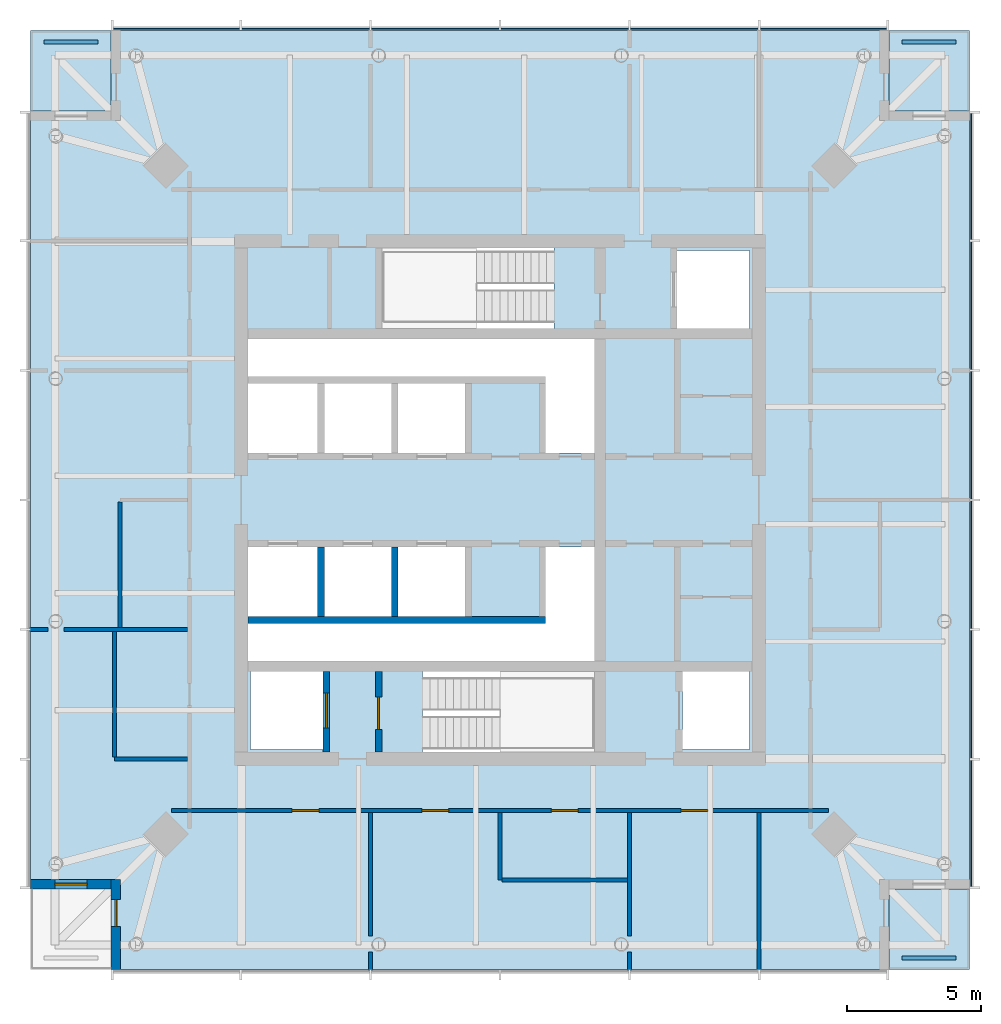
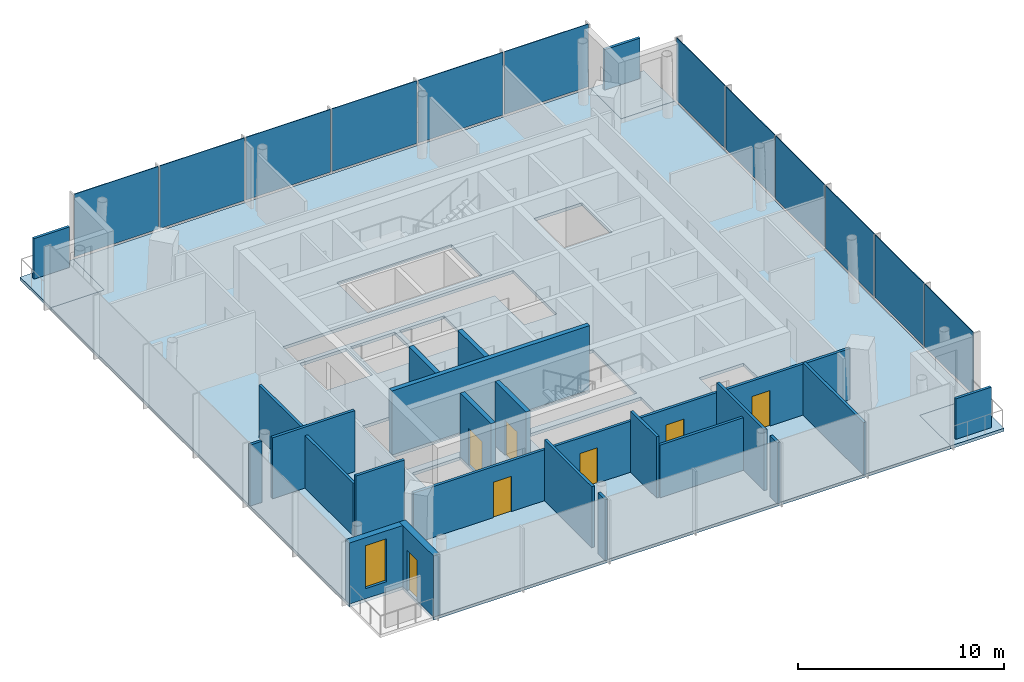
# One storey, part 3 of 7: 20 walls, 15 plates, 7 doors, 4 slabs, 1 window, 8 openings, 2 elements without a shape of their own.
"""IFC4 building model written with IfcOpenShell, lengths in metres."""

from ifc_helpers import new_model, si_unit, direction, frame, frame_2d, origin, origin_2d, place, context, subcontext, project, spatial, polyline, rectangle, outline, extrude, material, layer, layer_set, type_object, element, fill, aggregate, save


model = new_model("IFC4")

# Units and contexts
model_context = context("Model", 3, precision=1e-05, world=origin(), true_north=direction((0.0, 1.0)))
body_context = subcontext(model_context, "Body", "Model", "MODEL_VIEW")
ifc_project = project(units=[si_unit("LENGTHUNIT", "METRE"), si_unit("AREAUNIT", "SQUARE_METRE"), si_unit("VOLUMEUNIT", "CUBIC_METRE"), si_unit("PLANEANGLEUNIT", "RADIAN"), si_unit("MASSUNIT", "GRAM", prefix="KILO")], contexts=[model_context])

# Site, building, storey
site_placement = place(None, origin())
site = spatial("IfcSite", under=ifc_project, at=site_placement, CompositionType="ELEMENT")
building_placement = place(site_placement, origin())
building = spatial("IfcBuilding", under=site, at=building_placement, Name="Ostroluk Exchange", CompositionType="ELEMENT")
storey_placement = place(building_placement, frame((0.0, 0.0, 252.800048828125)))
storey = spatial("IfcBuildingStorey", under=building, at=storey_placement, Name="L65", CompositionType="ELEMENT", Elevation=252.800048828125)

# Slabs
ifc_material_1 = material(Name="Concrete C35/45", Category="concrete")
ifc_layer_1 = layer(ifc_material_1, 0.179931640625)
ifc_layer_set_1 = layer_set([ifc_layer_1], Name="Balcony slab 180")
slab_type_1 = type_object("IfcSlabType", Name="Balcony slab 180", PredefinedType="USERDEFINED", material=ifc_layer_set_1)
slab_1_placement = place(storey_placement, frame((0.0, 0.0, -0.179931640625)))
element("IfcSlab", 1, at=slab_1_placement, inside=storey, type_object=slab_type_1, Name="Office tower SE corner balcony L65", ObjectType="BALCONY", PredefinedType="USERDEFINED", context=body_context, shape_type="SweptSolid", body=[
    extrude(outline(polyline([(59.5, 28.5), (62.5, 28.5), (62.5, 31.5), (59.5, 31.5), (59.5, 28.5)])), origin(), (0.0, 0.0, 1.0), 0.179931640625),
])
slab_2_placement = place(storey_placement, frame((0.0, 0.0, -0.179931640625)))
element("IfcSlab", 2, at=slab_2_placement, inside=storey, type_object=slab_type_1, Name="Office tower NE corner balcony L65", ObjectType="BALCONY", PredefinedType="USERDEFINED", context=body_context, shape_type="SweptSolid", body=[
    extrude(outline(polyline([(59.5, 60.5), (62.5, 60.5), (62.5, 63.5), (59.5, 63.5), (59.5, 60.5)])), origin(), (0.0, 0.0, 1.0), 0.179931640625),
])
slab_3_placement = place(storey_placement, frame((0.0, 0.0, -0.179931640625)))
element("IfcSlab", 3, at=slab_3_placement, inside=storey, type_object=slab_type_1, Name="Office tower NW corner balcony L65", ObjectType="BALCONY", PredefinedType="USERDEFINED", context=body_context, shape_type="SweptSolid", body=[
    extrude(outline(polyline([(27.5, 60.5), (30.5, 60.5), (30.5, 63.5), (27.5, 63.5), (27.5, 60.5)])), origin(), (0.0, 0.0, 1.0), 0.179931640625),
])

# Plates
ifc_material_2 = material(Name="Steel S355 trellis with planting", Category="steel")
ifc_layer_2 = layer(ifc_material_2, 0.14990234375)
ifc_layer_set_2 = layer_set([ifc_layer_2], Name="Planted screen 150")
plate_type_1 = type_object("IfcPlateType", Name="Planted screen 150", PredefinedType="USERDEFINED", material=ifc_layer_set_2)
for number, where, z_axis, x_axis, name in (
    (4, (61.0, 28.925048828125, 0.0), (0.0, 0.0, 1.0), (1.0, 0.0, 0.0), "Office tower SE planted screen L65"),
    (5, (61.0, 63.074951171875, 0.0), (0.0, 0.0, 1.0), (1.0, 0.0, 0.0), "Office tower NE planted screen L65"),
    (6, (29.0, 63.074951171875, 0.0), (0.0, 0.0, 1.0), (1.0, 0.0, 0.0), "Office tower NW planted screen L65"),
):
    element("IfcPlate", number, at=place(storey_placement, frame(where, z_axis=z_axis, x_axis=x_axis)), inside=storey, type_object=plate_type_1, Name=name, ObjectType="PLANTED SCREEN", PredefinedType="USERDEFINED", context=body_context, shape_type="SweptSolid", body=[
        extrude(rectangle(XDim=2.0, YDim=0.14990234375, at=origin_2d()), origin(), (0.0, 0.0, 1.0), 2.39990234375),
    ])

# Slab
ifc_material_3 = material(Name="Concrete C35/45", Category="concrete")
ifc_layer_3 = layer(ifc_material_3, 0.179931640625)
ifc_layer_set_3 = layer_set([ifc_layer_3], Name="Tower floor slab 180 composite")
slab_type_2 = type_object("IfcSlabType", Name="Tower floor slab 180 composite", PredefinedType="FLOOR", material=ifc_layer_set_3)
slab_4_placement = place(storey_placement, frame((0.0, 0.0, -0.179931640625)))
element("IfcSlab", 7, at=slab_4_placement, inside=storey, type_object=slab_type_2, Name="Office tower floor slab L65", PredefinedType="FLOOR", context=body_context, shape_type="SweptSolid", body=[
    extrude(outline(polyline([(30.5, 28.5), (59.5, 28.5), (59.5, 31.5), (62.5, 31.5), (62.5, 60.5), (59.5, 60.5), (59.5, 63.5), (30.5, 63.5), (30.5, 60.5), (27.5, 60.5), (27.5, 31.5), (30.5, 31.5), (30.5, 28.5)]), holes=[polyline([(35.699951171875, 36.699951171875), (38.39990234375, 36.699951171875), (38.39990234375, 39.60009765625), (35.699951171875, 39.60009765625), (35.699951171875, 36.699951171875)]), polyline([(42.110107421875, 36.60009765625), (48.530029296875, 36.60009765625), (48.530029296875, 39.60009765625), (42.110107421875, 39.60009765625), (42.110107421875, 36.60009765625)]), polyline([(51.800048828125, 36.699951171875), (54.300048828125, 36.699951171875), (54.300048828125, 39.60009765625), (51.800048828125, 39.60009765625), (51.800048828125, 36.699951171875)]), polyline([(40.60009765625, 52.39990234375), (47.02001953125, 52.39990234375), (47.02001953125, 55.39990234375), (40.60009765625, 55.39990234375), (40.60009765625, 52.39990234375)]), polyline([(51.60009765625, 52.39990234375), (54.300048828125, 52.39990234375), (54.300048828125, 55.300048828125), (51.60009765625, 55.300048828125), (51.60009765625, 52.39990234375)]), polyline([(35.60009765625, 47.75), (38.199951171875, 47.75), (38.199951171875, 50.35009765625), (35.60009765625, 50.35009765625), (35.60009765625, 47.75)]), polyline([(38.449951171875, 47.75), (40.949951171875, 47.75), (40.949951171875, 50.35009765625), (38.449951171875, 50.35009765625), (38.449951171875, 47.75)]), polyline([(41.199951171875, 47.75), (43.699951171875, 47.75), (43.699951171875, 50.35009765625), (41.199951171875, 50.35009765625), (41.199951171875, 47.75)]), polyline([(35.60009765625, 41.64990234375), (38.199951171875, 41.64990234375), (38.199951171875, 44.25), (35.60009765625, 44.25), (35.60009765625, 41.64990234375)]), polyline([(38.449951171875, 41.64990234375), (40.949951171875, 41.64990234375), (40.949951171875, 44.25), (38.449951171875, 44.25), (38.449951171875, 41.64990234375)]), polyline([(41.199951171875, 41.64990234375), (43.699951171875, 41.64990234375), (43.699951171875, 44.25), (41.199951171875, 44.25), (41.199951171875, 41.64990234375)]), polyline([(48.530029296875, 52.0), (48.530029296875, 47.75), (46.699951171875, 47.75), (46.699951171875, 50.60009765625), (35.60009765625, 50.60009765625), (35.60009765625, 52.0), (48.530029296875, 52.0)]), polyline([(35.60009765625, 40.0), (35.60009765625, 41.39990234375), (46.699951171875, 41.39990234375), (46.699951171875, 44.25), (48.530029296875, 44.25), (48.530029296875, 40.0), (35.60009765625, 40.0)])]), origin(), (0.0, 0.0, 1.0), 0.179931640625),
])

# Curtain wall, plates
ifc_material_4 = material(Name="Laminated clear glass", Category="glass")
curtain_wall_type = type_object("IfcCurtainWallType", Name="Office tower facade", PredefinedType="USERDEFINED", material=ifc_material_4)
curtain_wall_1_placement = place(storey_placement, origin())
curtain_wall_1 = element("IfcCurtainWall", 8, at=curtain_wall_1_placement, inside=storey, type_object=curtain_wall_type, Name="Office tower east facade L65", ObjectType="UNITISED CURTAIN WALL", PredefinedType="USERDEFINED")
ifc_material_5 = material(Name="Laminated clear glass", Category="glass")
ifc_layer_4 = layer(ifc_material_5, 0.0439453125)
ifc_layer_set_4 = layer_set([ifc_layer_4], Name="Triple laminated clear glazing 44")
plate_type_2 = type_object("IfcPlateType", Name="Triple laminated clear glazing 44", PredefinedType="CURTAIN_PANEL", material=ifc_layer_set_4)
plate_1_placement = place(storey_placement, frame((62.574951171875, 33.936767578125, 0.080078125), z_axis=(0.0, 0.0, 1.0), x_axis=(0.0, 1.0, 0.0)))
plate_1 = element("IfcPlate", 9, at=plate_1_placement, type_object=plate_type_2, Name="CW-O1 panel 1.1", PredefinedType="CURTAIN_PANEL", context=body_context, shape_type="SweptSolid", body=[
    extrude(rectangle(XDim=4.71337890625, YDim=0.0439453125, at=origin_2d()), origin(), (0.0, 0.0, 1.0), 3.719970703125),
])
plate_2_placement = place(storey_placement, frame((62.574951171875, 38.75, 0.080078125), z_axis=(0.0, 0.0, 1.0), x_axis=(0.0, 1.0, 0.0)))
plate_2 = element("IfcPlate", 10, at=plate_2_placement, type_object=plate_type_2, Name="CW-O1 panel 2.1", PredefinedType="CURTAIN_PANEL", context=body_context, shape_type="SweptSolid", body=[
    extrude(rectangle(XDim=4.75341796875, YDim=0.0439453125, at=origin_2d()), origin(), (0.0, 0.0, 1.0), 3.719970703125),
])
plate_3_placement = place(storey_placement, frame((62.574951171875, 43.583251953125, 0.080078125), z_axis=(0.0, 0.0, 1.0), x_axis=(0.0, 1.0, 0.0)))
plate_3 = element("IfcPlate", 11, at=plate_3_placement, type_object=plate_type_2, Name="CW-O1 panel 3.1", PredefinedType="CURTAIN_PANEL", context=body_context, shape_type="SweptSolid", body=[
    extrude(rectangle(XDim=4.75341796875, YDim=0.0439453125, at=origin_2d()), origin(), (0.0, 0.0, 1.0), 3.719970703125),
])
plate_4_placement = place(storey_placement, frame((62.574951171875, 48.416748046875, 0.080078125), z_axis=(0.0, 0.0, 1.0), x_axis=(0.0, 1.0, 0.0)))
plate_4 = element("IfcPlate", 12, at=plate_4_placement, type_object=plate_type_2, Name="CW-O1 panel 4.1", PredefinedType="CURTAIN_PANEL", context=body_context, shape_type="SweptSolid", body=[
    extrude(rectangle(XDim=4.75341796875, YDim=0.0439453125, at=origin_2d()), origin(), (0.0, 0.0, 1.0), 3.719970703125),
])
plate_5_placement = place(storey_placement, frame((62.574951171875, 53.25, 0.080078125), z_axis=(0.0, 0.0, 1.0), x_axis=(0.0, 1.0, 0.0)))
plate_5 = element("IfcPlate", 13, at=plate_5_placement, type_object=plate_type_2, Name="CW-O1 panel 5.1", PredefinedType="CURTAIN_PANEL", context=body_context, shape_type="SweptSolid", body=[
    extrude(rectangle(XDim=4.75341796875, YDim=0.0439453125, at=origin_2d()), origin(), (0.0, 0.0, 1.0), 3.719970703125),
])
plate_6_placement = place(storey_placement, frame((62.574951171875, 58.063232421875, 0.080078125), z_axis=(0.0, 0.0, 1.0), x_axis=(0.0, 1.0, 0.0)))
plate_6 = element("IfcPlate", 14, at=plate_6_placement, type_object=plate_type_2, Name="CW-O1 panel 6.1", PredefinedType="CURTAIN_PANEL", context=body_context, shape_type="SweptSolid", body=[
    extrude(rectangle(XDim=4.71337890625, YDim=0.0439453125, at=origin_2d()), origin(), (0.0, 0.0, 1.0), 3.719970703125),
])
aggregate(curtain_wall_1, [plate_1, plate_2, plate_3, plate_4, plate_5, plate_6])

curtain_wall_2_placement = place(storey_placement, origin())
curtain_wall_2 = element("IfcCurtainWall", 15, at=curtain_wall_2_placement, inside=storey, type_object=curtain_wall_type, Name="Office tower north facade L65", ObjectType="UNITISED CURTAIN WALL", PredefinedType="USERDEFINED")
plate_7_placement = place(storey_placement, frame((57.063232421875, 63.574951171875, 0.080078125), z_axis=(0.0, 0.0, 1.0), x_axis=(-1.0, 0.0, 0.0)))
plate_7 = element("IfcPlate", 16, at=plate_7_placement, type_object=plate_type_2, Name="CW-O1 panel 1.1", PredefinedType="CURTAIN_PANEL", context=body_context, shape_type="SweptSolid", body=[
    extrude(rectangle(XDim=4.71337890625, YDim=0.0439453125, at=origin_2d()), origin(), (0.0, 0.0, 1.0), 3.719970703125),
])
plate_8_placement = place(storey_placement, frame((52.25, 63.574951171875, 0.080078125), z_axis=(0.0, 0.0, 1.0), x_axis=(-1.0, 0.0, 0.0)))
plate_8 = element("IfcPlate", 17, at=plate_8_placement, type_object=plate_type_2, Name="CW-O1 panel 2.1", PredefinedType="CURTAIN_PANEL", context=body_context, shape_type="SweptSolid", body=[
    extrude(rectangle(XDim=4.75341796875, YDim=0.0439453125, at=origin_2d()), origin(), (0.0, 0.0, 1.0), 3.719970703125),
])
plate_9_placement = place(storey_placement, frame((47.416748046875, 63.574951171875, 0.080078125), z_axis=(0.0, 0.0, 1.0), x_axis=(-1.0, 0.0, 0.0)))
plate_9 = element("IfcPlate", 18, at=plate_9_placement, type_object=plate_type_2, Name="CW-O1 panel 3.1", PredefinedType="CURTAIN_PANEL", context=body_context, shape_type="SweptSolid", body=[
    extrude(rectangle(XDim=4.75341796875, YDim=0.0439453125, at=origin_2d()), origin(), (0.0, 0.0, 1.0), 3.719970703125),
])
plate_10_placement = place(storey_placement, frame((42.583251953125, 63.574951171875, 0.080078125), z_axis=(0.0, 0.0, 1.0), x_axis=(-1.0, 0.0, 0.0)))
plate_10 = element("IfcPlate", 19, at=plate_10_placement, type_object=plate_type_2, Name="CW-O1 panel 4.1", PredefinedType="CURTAIN_PANEL", context=body_context, shape_type="SweptSolid", body=[
    extrude(rectangle(XDim=4.75341796875, YDim=0.0439453125, at=origin_2d()), origin(), (0.0, 0.0, 1.0), 3.719970703125),
])
plate_11_placement = place(storey_placement, frame((37.75, 63.574951171875, 0.080078125), z_axis=(0.0, 0.0, 1.0), x_axis=(-1.0, 0.0, 0.0)))
plate_11 = element("IfcPlate", 20, at=plate_11_placement, type_object=plate_type_2, Name="CW-O1 panel 5.1", PredefinedType="CURTAIN_PANEL", context=body_context, shape_type="SweptSolid", body=[
    extrude(rectangle(XDim=4.75341796875, YDim=0.0439453125, at=origin_2d()), origin(), (0.0, 0.0, 1.0), 3.719970703125),
])
plate_12_placement = place(storey_placement, frame((32.936767578125, 63.574951171875, 0.080078125), z_axis=(0.0, 0.0, 1.0), x_axis=(-1.0, 0.0, 0.0)))
plate_12 = element("IfcPlate", 21, at=plate_12_placement, type_object=plate_type_2, Name="CW-O1 panel 6.1", PredefinedType="CURTAIN_PANEL", context=body_context, shape_type="SweptSolid", body=[
    extrude(rectangle(XDim=4.71337890625, YDim=0.0439453125, at=origin_2d()), origin(), (0.0, 0.0, 1.0), 3.719970703125),
])
aggregate(curtain_wall_2, [plate_7, plate_8, plate_9, plate_10, plate_11, plate_12])

# Wall, opening, door
ifc_material_6 = material(Name="Concrete C40/50", Category="concrete")
ifc_layer_5 = layer(ifc_material_6, 0.25)
ifc_layer_set_5 = layer_set([ifc_layer_5], Name="Core shaft wall 250")
wall_type_1 = type_object("IfcWallType", Name="Core shaft wall 250", PredefinedType="SHEAR", material=ifc_layer_set_5)
wall_1_placement = place(storey_placement, frame((38.52490234375, 36.60009765625, 0.0), z_axis=(0.0, 0.0, 1.0), x_axis=(0.0, 1.0, 0.0)))
wall_1 = element("IfcWall", 22, at=wall_1_placement, inside=storey, type_object=wall_type_1, Name="Firefighting lift shaft wall", PredefinedType="SHEAR", context=body_context, shape_type="SweptSolid", body=[
    extrude(rectangle(XDim=3.0, YDim=0.25, at=frame_2d((1.5, 0.0))), origin(), (0.0, 0.0, 1.0), 3.800048828125),
])
opening_1_placement = place(wall_1_placement, frame((0.89990234375, 0.0, 0.0)))
opening_1 = element("IfcOpeningElement", 23, at=opening_1_placement, cuts=wall_1, Name="Opening LD2", PredefinedType="OPENING", context=body_context, shape_type="SweptSolid", body=[
    extrude(rectangle(XDim=1.300048828125, YDim=2.199951171875, at=frame_2d((0.64990234375, 1.10009765625))), frame((0.0, 0.135009765625, 0.0), z_axis=(0.0, -1.0, 0.0), x_axis=(1.0, 0.0, 0.0)), (0.0, 0.0, 1.0), 0.27001953125),
])
ifc_material_7 = material(Name="Stainless steel", Category="steel")
door_type_1 = type_object("IfcDoorType", Name="Lift landing door E 60 1300 x 2200", OperationType="DOUBLE_DOOR_SLIDING", PredefinedType="DOOR", material=ifc_material_7)
door_1_placement = place(opening_1_placement, origin())
door_1 = element("IfcDoor", 24, at=door_1_placement, inside=storey, type_object=door_type_1, Name="Lift FL1 landing door", OperationType="DOUBLE_DOOR_SLIDING", OverallHeight=2.199951171875, OverallWidth=1.300048828125, PredefinedType="DOOR", context=body_context, shape_type="SweptSolid", body=[
    extrude(rectangle(XDim=1.300048828125, YDim=2.199951171875, at=frame_2d((0.64990234375, 1.10009765625))), frame((0.0, 0.02490234375, 0.0), z_axis=(0.0, -1.0, 0.0), x_axis=(1.0, 0.0, 0.0)), (0.0, 0.0, 1.0), 0.050048828125),
])
fill(opening_1, door_1)

wall_2_placement = place(storey_placement, frame((40.47509765625, 36.60009765625, 0.0), z_axis=(0.0, 0.0, 1.0), x_axis=(0.0, 1.0, 0.0)))
wall_2 = element("IfcWall", 25, at=wall_2_placement, inside=storey, type_object=wall_type_1, Name="Stair shaft wall", PredefinedType="SHEAR", context=body_context, shape_type="SweptSolid", body=[
    extrude(rectangle(XDim=3.0, YDim=0.25, at=frame_2d((1.5, 0.0))), origin(), (0.0, 0.0, 1.0), 3.800048828125),
])
opening_2_placement = place(wall_2_placement, frame((0.85009765625, 0.0, 0.0)))
opening_2 = element("IfcOpeningElement", 26, at=opening_2_placement, cuts=wall_2, Name="Opening FD60S", PredefinedType="OPENING", context=body_context, shape_type="SweptSolid", body=[
    extrude(rectangle(XDim=1.199951171875, YDim=2.10009765625, at=frame_2d((0.60009765625, 1.050048828125))), frame((0.0, 0.135009765625, 0.0), z_axis=(0.0, -1.0, 0.0), x_axis=(1.0, 0.0, 0.0)), (0.0, 0.0, 1.0), 0.27001953125),
])
ifc_material_8 = material(Name="Steel", Category="steel")
door_type_2 = type_object("IfcDoorType", Name="Stair door EI 60 1200 x 2100", OperationType="SINGLE_SWING_LEFT", PredefinedType="DOOR", material=ifc_material_8)
door_2_placement = place(opening_2_placement, origin())
door_2 = element("IfcDoor", 27, at=door_2_placement, inside=storey, type_object=door_type_2, Name="Stair T1-S1 door", OperationType="SINGLE_SWING_LEFT", OverallHeight=2.10009765625, OverallWidth=1.199951171875, PredefinedType="DOOR", context=body_context, shape_type="SweptSolid", body=[
    extrude(rectangle(XDim=1.199951171875, YDim=2.10009765625, at=frame_2d((0.60009765625, 1.050048828125))), frame((0.0, 0.02490234375, 0.0), z_axis=(0.0, -1.0, 0.0), x_axis=(1.0, 0.0, 0.0)), (0.0, 0.0, 1.0), 0.050048828125),
])
fill(opening_2, door_2)

# Walls
for number, where, z_axis, x_axis, name in (
    (28, (38.324951171875, 44.25, 0.0), (0.0, 0.0, 1.0), (0.0, -1.0, 0.0), "Lift shaft wall"),
    (29, (41.074951171875, 44.25, 0.0), (0.0, 0.0, 1.0), (0.0, -1.0, 0.0), "Lift shaft wall"),
):
    element("IfcWall", number, at=place(storey_placement, frame(where, z_axis=z_axis, x_axis=x_axis)), inside=storey, type_object=wall_type_1, Name=name, PredefinedType="SHEAR", context=body_context, shape_type="SweptSolid", body=[
        extrude(rectangle(XDim=2.60009765625, YDim=0.25, at=frame_2d((1.300048828125, 0.0))), origin(), (0.0, 0.0, 1.0), 3.800048828125),
    ])
wall_3_placement = place(storey_placement, frame((35.60009765625, 41.52490234375, 0.0), z_axis=(0.0, 0.0, 1.0), x_axis=(1.0, 0.0, 0.0)))
element("IfcWall", 30, at=wall_3_placement, inside=storey, type_object=wall_type_1, Name="Lift shaft wall", PredefinedType="SHEAR", context=body_context, shape_type="SweptSolid", body=[
    extrude(rectangle(XDim=11.099853515625, YDim=0.25, at=frame_2d((5.5498046875, 0.0))), origin(), (0.0, 0.0, 1.0), 3.800048828125),
])

# Wall, opening, door
ifc_material_9 = material(Name="Limestone", Category="masonry")
ifc_layer_6 = layer(ifc_material_9, 0.35009765625)
ifc_layer_set_6 = layer_set([ifc_layer_6], Name="Limestone facade wall 350")
wall_type_2 = type_object("IfcWallType", Name="Limestone facade wall 350", PredefinedType="SOLIDWALL", material=ifc_layer_set_6)
wall_4_placement = place(storey_placement, frame((30.675048828125, 28.5, 0.0), z_axis=(0.0, 0.0, 1.0), x_axis=(0.0, 1.0, 0.0)))
wall_4 = element("IfcWall", 31, at=wall_4_placement, inside=storey, type_object=wall_type_2, Name="Office tower SW corner wall L65 a", PredefinedType="SOLIDWALL", context=body_context, shape_type="SweptSolid", body=[
    extrude(rectangle(XDim=3.35009765625, YDim=0.35009765625, at=frame_2d((1.675048828125, 0.0))), origin(), (0.0, 0.0, 1.0), 3.619873046875),
])
opening_3_placement = place(wall_4_placement, frame((1.60009765625, 0.0, 0.0)))
opening_3 = element("IfcOpeningElement", 32, at=opening_3_placement, cuts=wall_4, Name="Opening D-B1", PredefinedType="OPENING", context=body_context, shape_type="SweptSolid", body=[
    extrude(rectangle(XDim=1.0, YDim=2.39990234375, at=frame_2d((0.5, 1.199951171875))), frame((0.0, 0.18505859375, 0.0), z_axis=(0.0, -1.0, 0.0), x_axis=(1.0, 0.0, 0.0)), (0.0, 0.0, 1.0), 0.3701171875),
])
ifc_material_10 = material(Name="Bronze framed glazed door", Category="aluminium")
door_type_3 = type_object("IfcDoorType", Name="Balcony door 1000 x 2400", OperationType="SINGLE_SWING_LEFT", PredefinedType="DOOR", material=ifc_material_10)
door_3_placement = place(opening_3_placement, origin())
door_3 = element("IfcDoor", 33, at=door_3_placement, inside=storey, type_object=door_type_3, Name="Office tower SW balcony door L65", OperationType="SINGLE_SWING_RIGHT", OverallHeight=2.39990234375, OverallWidth=1.0, PredefinedType="DOOR", context=body_context, shape_type="SweptSolid", body=[
    extrude(rectangle(XDim=1.0, YDim=2.39990234375, at=frame_2d((0.5, 1.199951171875))), frame((0.0, 0.02490234375, 0.0), z_axis=(0.0, -1.0, 0.0), x_axis=(1.0, 0.0, 0.0)), (0.0, 0.0, 1.0), 0.050048828125),
])
fill(opening_3, door_3)

# Wall, opening, window
wall_5_placement = place(storey_placement, frame((30.5, 31.675048828125, 0.0), z_axis=(0.0, 0.0, 1.0), x_axis=(-1.0, 0.0, 0.0)))
wall_5 = element("IfcWall", 34, at=wall_5_placement, inside=storey, type_object=wall_type_2, Name="Office tower SW corner wall L65 b", PredefinedType="SOLIDWALL", context=body_context, shape_type="SweptSolid", body=[
    extrude(rectangle(XDim=3.0, YDim=0.35009765625, at=frame_2d((1.5, 0.0))), origin(), (0.0, 0.0, 1.0), 3.619873046875),
])
opening_4_placement = place(wall_5_placement, frame((0.89990234375, 0.0, 0.60009765625)))
opening_4 = element("IfcOpeningElement", 35, at=opening_4_placement, cuts=wall_5, Name="Opening WN-L1", PredefinedType="OPENING", context=body_context, shape_type="SweptSolid", body=[
    extrude(rectangle(XDim=1.199951171875, YDim=2.550048828125, at=frame_2d((0.60009765625, 1.27490234375))), frame((0.0, 0.18505859375, 0.0), z_axis=(0.0, -1.0, 0.0), x_axis=(1.0, 0.0, 0.0)), (0.0, 0.0, 1.0), 0.3701171875),
])
ifc_material_11 = material(Name="Laminated clear glass", Category="glass")
window_type = type_object("IfcWindowType", Name="Lancet window 1200 x 2550", PartitioningType="SINGLE_PANEL", PredefinedType="WINDOW", material=ifc_material_11)
window_placement = place(opening_4_placement, origin())
window = element("IfcWindow", 36, at=window_placement, inside=storey, type_object=window_type, Name="Office tower SW lancet window L65", OverallHeight=2.550048828125, OverallWidth=1.199951171875, PartitioningType="SINGLE_PANEL", PredefinedType="WINDOW", context=body_context, shape_type="SweptSolid", body=[
    extrude(rectangle(XDim=1.199951171875, YDim=2.550048828125, at=frame_2d((0.60009765625, 1.27490234375))), frame((0.0, 0.030029296875, 0.0), z_axis=(0.0, -1.0, 0.0), x_axis=(1.0, 0.0, 0.0)), (0.0, 0.0, 1.0), 0.06005859375),
])
fill(opening_4, window)

# Walls
ifc_material_12 = material(Name="Gypsum plasterboard partition", Category="gypsum")
ifc_layer_7 = layer(ifc_material_12, 0.14990234375)
ifc_layer_set_7 = layer_set([ifc_layer_7], Name="Plasterboard partition 150")
wall_type_3 = type_object("IfcWallType", Name="Plasterboard partition 150", PredefinedType="PARTITIONING", material=ifc_layer_set_7)
wall_6_placement = place(storey_placement, frame((33.35009765625, 41.166748046875, 0.0), z_axis=(0.0, 0.0, 1.0), x_axis=(-1.0, 0.0, 0.0)))
element("IfcWall", 37, at=wall_6_placement, inside=storey, type_object=wall_type_3, Name="Partition", PredefinedType="PARTITIONING", context=body_context, shape_type="SweptSolid", body=[
    extrude(rectangle(XDim=4.609130859375, YDim=0.14990234375, at=frame_2d((2.3046875, 0.0))), origin(), (0.0, 0.0, 1.0), 3.619873046875),
])
wall_7_placement = place(storey_placement, frame((28.153076171875, 41.166748046875, 0.0), z_axis=(0.0, 0.0, 1.0), x_axis=(-1.0, 0.0, 0.0)))
element("IfcWall", 38, at=wall_7_placement, inside=storey, type_object=wall_type_3, Name="Partition", PredefinedType="PARTITIONING", context=body_context, shape_type="SweptSolid", body=[
    extrude(rectangle(XDim=0.693115234375, YDim=0.14990234375, at=frame_2d((0.3466796875, 0.0))), origin(), (0.0, 0.0, 1.0), 3.619873046875),
])
wall_8_placement = place(storey_placement, frame((33.35009765625, 36.333251953125, 0.0), z_axis=(0.0, 0.0, 1.0), x_axis=(-1.0, 0.0, 0.0)))
element("IfcWall", 39, at=wall_8_placement, inside=storey, type_object=wall_type_3, Name="Partition", PredefinedType="PARTITIONING", context=body_context, shape_type="SweptSolid", body=[
    extrude(rectangle(XDim=2.72509765625, YDim=0.14990234375, at=frame_2d((1.362548828125, 0.0))), origin(), (0.0, 0.0, 1.0), 3.619873046875),
])
wall_9_placement = place(storey_placement, frame((45.074951171875, 31.824951171875, 0.0), z_axis=(0.0, 0.0, 1.0), x_axis=(1.0, 0.0, 0.0)))
element("IfcWall", 40, at=wall_9_placement, inside=storey, type_object=wall_type_3, Name="Partition", PredefinedType="PARTITIONING", context=body_context, shape_type="SweptSolid", body=[
    extrude(rectangle(XDim=4.683349609375, YDim=0.14990234375, at=frame_2d((2.341796875, 0.0))), origin(), (0.0, 0.0, 1.0), 3.119873046875),
])

# Wall, openings, doors
wall_10_placement = place(storey_placement, frame((32.755615234375, 34.425048828125, 0.0), z_axis=(0.0, 0.0, 1.0), x_axis=(1.0, 0.0, 0.0)))
wall_10 = element("IfcWall", 41, at=wall_10_placement, inside=storey, type_object=wall_type_3, Name="Partition", PredefinedType="PARTITIONING", context=body_context, shape_type="SweptSolid", body=[
    extrude(rectangle(XDim=24.48876953125, YDim=0.14990234375, at=frame_2d((12.244384765625, 0.0))), origin(), (0.0, 0.0, 1.0), 3.02001953125),
])
opening_5_placement = place(wall_10_placement, frame((4.494384765625, 0.0, 0.0)))
opening_5 = element("IfcOpeningElement", 42, at=opening_5_placement, cuts=wall_10, Name="Opening D-03", PredefinedType="OPENING", context=body_context, shape_type="SweptSolid", body=[
    extrude(rectangle(XDim=1.0, YDim=2.10009765625, at=frame_2d((0.5, 1.050048828125))), frame((0.0, 0.0849609375, 0.0), z_axis=(0.0, -1.0, 0.0), x_axis=(1.0, 0.0, 0.0)), (0.0, 0.0, 1.0), 0.169921875),
])
opening_6_placement = place(wall_10_placement, frame((9.32763671875, 0.0, 0.0)))
opening_6 = element("IfcOpeningElement", 43, at=opening_6_placement, cuts=wall_10, Name="Opening D-03", PredefinedType="OPENING", context=body_context, shape_type="SweptSolid", body=[
    extrude(rectangle(XDim=1.0, YDim=2.10009765625, at=frame_2d((0.5, 1.050048828125))), frame((0.0, 0.0849609375, 0.0), z_axis=(0.0, -1.0, 0.0), x_axis=(1.0, 0.0, 0.0)), (0.0, 0.0, 1.0), 0.169921875),
])
opening_7_placement = place(wall_10_placement, frame((14.160888671875, 0.0, 0.0)))
opening_7 = element("IfcOpeningElement", 44, at=opening_7_placement, cuts=wall_10, Name="Opening D-03", PredefinedType="OPENING", context=body_context, shape_type="SweptSolid", body=[
    extrude(rectangle(XDim=1.0, YDim=2.10009765625, at=frame_2d((0.5, 1.050048828125))), frame((0.0, 0.0849609375, 0.0), z_axis=(0.0, -1.0, 0.0), x_axis=(1.0, 0.0, 0.0)), (0.0, 0.0, 1.0), 0.169921875),
])
opening_8_placement = place(wall_10_placement, frame((18.994384765625, 0.0, 0.0)))
opening_8 = element("IfcOpeningElement", 45, at=opening_8_placement, cuts=wall_10, Name="Opening D-03", PredefinedType="OPENING", context=body_context, shape_type="SweptSolid", body=[
    extrude(rectangle(XDim=1.0, YDim=2.10009765625, at=frame_2d((0.5, 1.050048828125))), frame((0.0, 0.0849609375, 0.0), z_axis=(0.0, -1.0, 0.0), x_axis=(1.0, 0.0, 0.0)), (0.0, 0.0, 1.0), 0.169921875),
])
ifc_material_13 = material(Name="Timber", Category="wood")
door_type_4 = type_object("IfcDoorType", Name="Internal door 1000 x 2100", OperationType="SINGLE_SWING_LEFT", PredefinedType="DOOR", material=ifc_material_13)
door_4_placement = place(opening_5_placement, origin())
door_4 = element("IfcDoor", 46, at=door_4_placement, inside=storey, type_object=door_type_4, Name="Corner office door", OperationType="SINGLE_SWING_LEFT", OverallHeight=2.10009765625, OverallWidth=1.0, PredefinedType="DOOR", context=body_context, shape_type="SweptSolid", body=[
    extrude(rectangle(XDim=1.0, YDim=2.10009765625, at=frame_2d((0.5, 1.050048828125))), frame((0.0, 0.02490234375, 0.0), z_axis=(0.0, -1.0, 0.0), x_axis=(1.0, 0.0, 0.0)), (0.0, 0.0, 1.0), 0.050048828125),
])
fill(opening_5, door_4)
door_5_placement = place(opening_6_placement, origin())
door_5 = element("IfcDoor", 47, at=door_5_placement, inside=storey, type_object=door_type_4, Name="Office door", OperationType="SINGLE_SWING_LEFT", OverallHeight=2.10009765625, OverallWidth=1.0, PredefinedType="DOOR", context=body_context, shape_type="SweptSolid", body=[
    extrude(rectangle(XDim=1.0, YDim=2.10009765625, at=frame_2d((0.5, 1.050048828125))), frame((0.0, 0.02490234375, 0.0), z_axis=(0.0, -1.0, 0.0), x_axis=(1.0, 0.0, 0.0)), (0.0, 0.0, 1.0), 0.050048828125),
])
fill(opening_6, door_5)
door_6_placement = place(opening_7_placement, origin())
door_6 = element("IfcDoor", 48, at=door_6_placement, inside=storey, type_object=door_type_4, Name="Pantry door", OperationType="SINGLE_SWING_RIGHT", OverallHeight=2.10009765625, OverallWidth=1.0, PredefinedType="DOOR", context=body_context, shape_type="SweptSolid", body=[
    extrude(rectangle(XDim=1.0, YDim=2.10009765625, at=frame_2d((0.5, 1.050048828125))), frame((0.0, 0.02490234375, 0.0), z_axis=(0.0, -1.0, 0.0), x_axis=(1.0, 0.0, 0.0)), (0.0, 0.0, 1.0), 0.050048828125),
])
fill(opening_7, door_6)
door_7_placement = place(opening_8_placement, origin())
door_7 = element("IfcDoor", 49, at=door_7_placement, inside=storey, type_object=door_type_4, Name="Office door", OperationType="SINGLE_SWING_RIGHT", OverallHeight=2.10009765625, OverallWidth=1.0, PredefinedType="DOOR", context=body_context, shape_type="SweptSolid", body=[
    extrude(rectangle(XDim=1.0, YDim=2.10009765625, at=frame_2d((0.5, 1.050048828125))), frame((0.0, 0.02490234375, 0.0), z_axis=(0.0, -1.0, 0.0), x_axis=(1.0, 0.0, 0.0)), (0.0, 0.0, 1.0), 0.050048828125),
])
fill(opening_8, door_7)

# Walls
wall_11_placement = place(storey_placement, frame((40.166748046875, 34.35009765625, 0.0), z_axis=(0.0, 0.0, 1.0), x_axis=(0.0, -1.0, 0.0)))
element("IfcWall", 50, at=wall_11_placement, inside=storey, type_object=wall_type_3, Name="Partition", PredefinedType="PARTITIONING", context=body_context, shape_type="SweptSolid", body=[
    extrude(rectangle(XDim=4.609130859375, YDim=0.14990234375, at=frame_2d((2.3046875, 0.0))), origin(), (0.0, 0.0, 1.0), 3.619873046875),
])
wall_12_placement = place(storey_placement, frame((40.166748046875, 29.153076171875, 0.0), z_axis=(0.0, 0.0, 1.0), x_axis=(0.0, -1.0, 0.0)))
element("IfcWall", 51, at=wall_12_placement, inside=storey, type_object=wall_type_3, Name="Partition", PredefinedType="PARTITIONING", context=body_context, shape_type="SweptSolid", body=[
    extrude(rectangle(XDim=0.693115234375, YDim=0.14990234375, at=frame_2d((0.3466796875, 0.0))), origin(), (0.0, 0.0, 1.0), 3.619873046875),
])
wall_13_placement = place(storey_placement, frame((45.0, 34.35009765625, 0.0), z_axis=(0.0, 0.0, 1.0), x_axis=(0.0, -1.0, 0.0)))
element("IfcWall", 52, at=wall_13_placement, inside=storey, type_object=wall_type_3, Name="Partition", PredefinedType="PARTITIONING", context=body_context, shape_type="SweptSolid", body=[
    extrude(rectangle(XDim=2.525146484375, YDim=0.14990234375, at=frame_2d((1.2626953125, 0.0))), origin(), (0.0, 0.0, 1.0), 3.619873046875),
])
wall_14_placement = place(storey_placement, frame((49.833251953125, 34.35009765625, 0.0), z_axis=(0.0, 0.0, 1.0), x_axis=(0.0, -1.0, 0.0)))
element("IfcWall", 53, at=wall_14_placement, inside=storey, type_object=wall_type_3, Name="Partition", PredefinedType="PARTITIONING", context=body_context, shape_type="SweptSolid", body=[
    extrude(rectangle(XDim=4.609130859375, YDim=0.14990234375, at=frame_2d((2.3046875, 0.0))), origin(), (0.0, 0.0, 1.0), 3.619873046875),
])
wall_15_placement = place(storey_placement, frame((49.833251953125, 29.153076171875, 0.0), z_axis=(0.0, 0.0, 1.0), x_axis=(0.0, -1.0, 0.0)))
element("IfcWall", 54, at=wall_15_placement, inside=storey, type_object=wall_type_3, Name="Partition", PredefinedType="PARTITIONING", context=body_context, shape_type="SweptSolid", body=[
    extrude(rectangle(XDim=0.693115234375, YDim=0.14990234375, at=frame_2d((0.3466796875, 0.0))), origin(), (0.0, 0.0, 1.0), 3.619873046875),
])
wall_16_placement = place(storey_placement, frame((54.666748046875, 34.35009765625, 0.0), z_axis=(0.0, 0.0, 1.0), x_axis=(0.0, -1.0, 0.0)))
element("IfcWall", 55, at=wall_16_placement, inside=storey, type_object=wall_type_3, Name="Partition", PredefinedType="PARTITIONING", context=body_context, shape_type="SweptSolid", body=[
    extrude(rectangle(XDim=5.89013671875, YDim=0.14990234375, at=frame_2d((2.945068359375, 0.0))), origin(), (0.0, 0.0, 1.0), 3.119873046875),
])
ifc_material_14 = material(Name="Gypsum plasterboard partition, moisture resistant", Category="gypsum")
ifc_layer_8 = layer(ifc_material_14, 0.14990234375)
ifc_layer_set_8 = layer_set([ifc_layer_8], Name="Plasterboard toilet partition 150")
wall_type_4 = type_object("IfcWallType", Name="Plasterboard toilet partition 150", PredefinedType="PARTITIONING", material=ifc_layer_set_8)
wall_17_placement = place(storey_placement, frame((30.824951171875, 45.925048828125, 0.0), z_axis=(0.0, 0.0, 1.0), x_axis=(0.0, -1.0, 0.0)))
element("IfcWall", 56, at=wall_17_placement, inside=storey, type_object=wall_type_4, Name="Toilet partition", PredefinedType="PARTITIONING", context=body_context, shape_type="SweptSolid", body=[
    extrude(rectangle(XDim=4.683349609375, YDim=0.14990234375, at=frame_2d((2.341796875, 0.0))), origin(), (0.0, 0.0, 1.0), 3.119873046875),
])
wall_18_placement = place(storey_placement, frame((30.625, 41.091552734375, 0.0), z_axis=(0.0, 0.0, 1.0), x_axis=(0.0, -1.0, 0.0)))
element("IfcWall", 57, at=wall_18_placement, inside=storey, type_object=wall_type_4, Name="Toilet partition", PredefinedType="PARTITIONING", context=body_context, shape_type="SweptSolid", body=[
    extrude(rectangle(XDim=4.68310546875, YDim=0.14990234375, at=frame_2d((2.341552734375, 0.0))), origin(), (0.0, 0.0, 1.0), 3.119873046875),
])

save(model, "model.ifc")
